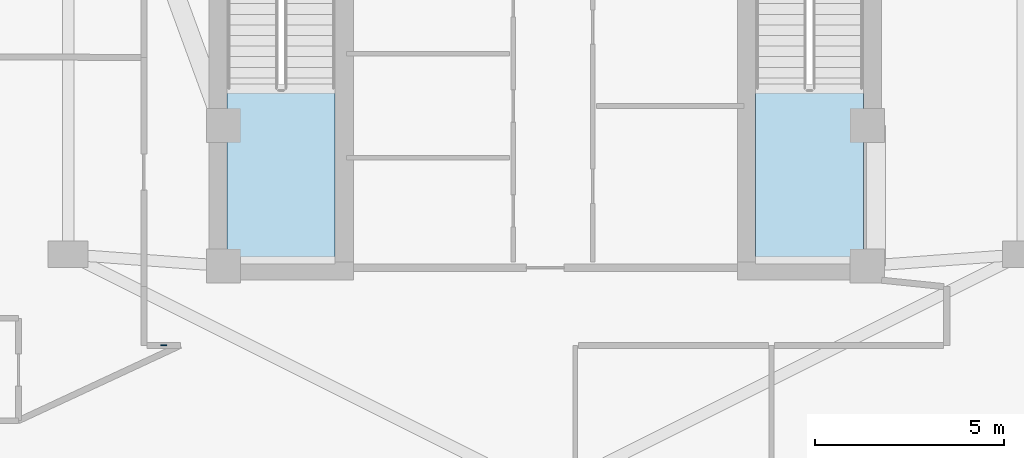
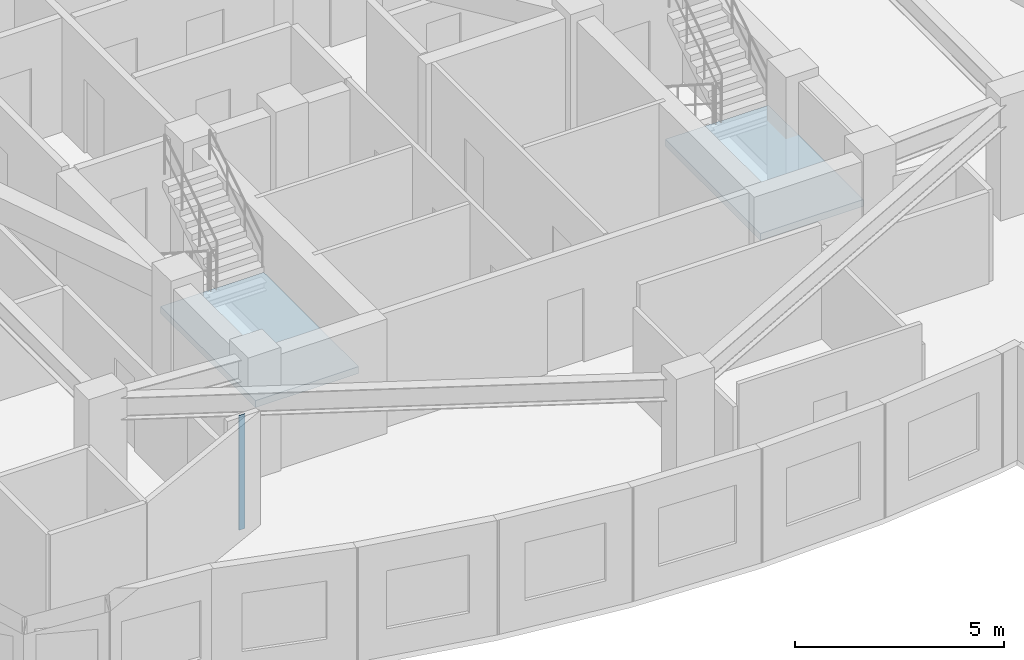
# One storey, part 2 of 9: 2 slabs, 1 plate, 2 elements without a shape of their own.
"""IFC4 building model written with IfcOpenShell, lengths in metres."""

import ifcopenshell
import ifcopenshell.guid

model = None  # the IFC model being written
_history = None  # IfcOwnerHistory: only IFC2X3 demands one
_inside = {}  # id of a spatial element -> (the spatial element, [elements in it])
_under = {}  # id of a project, library or spatial element -> (it, [spatial elements below it])
_declared = {}  # id of a project -> (the project, [libraries it declares])
_typed = {}  # id of a type object -> (the type object, [elements of that type])
_made_of = {}  # id of a material, layer set ... -> (it, [elements and type objects made of it])


def new_model(schema):
    """Start an empty IFC model of exactly this schema.

    Asked for "IFC4X3", IfcOpenShell would pick the latest addendum, in which some entities
    have other attributes; the version numbers below select the first issue.
    IFC2X3 requires an IfcOwnerHistory on every rooted entity: one is made here for all.
    """
    global model, _history
    if schema == "IFC4X3":
        model = ifcopenshell.file(schema_version=(4, 3, 0, 0))
    else:
        model = ifcopenshell.file(schema=schema)
    _inside.clear()
    _under.clear()
    _declared.clear()
    _typed.clear()
    _made_of.clear()
    _history = None
    if model.schema == "IFC2X3":
        org = make("IfcOrganization", Name="unknown")
        user = make(
            "IfcPersonAndOrganization",
            ThePerson=make("IfcPerson", FamilyName="unknown"),
            TheOrganization=org,
        )
        app = make(
            "IfcApplication",
            ApplicationDeveloper=org,
            Version="unknown",
            ApplicationFullName="unknown",
            ApplicationIdentifier="unknown",
        )
        _history = make(
            "IfcOwnerHistory",
            OwningUser=user,
            OwningApplication=app,
            ChangeAction="ADDED",
            CreationDate=0,
        )
    return model


def make(cls, **values):
    """One entity of the class cls with the attributes given. An attribute that is None is left unset."""
    return model.create_entity(
        cls, **{name: value for name, value in values.items() if value is not None}
    )


def rooted(cls, **values):
    """An entity with a GlobalId (a new one), such as an element, a storey or a relation."""
    return make(cls, GlobalId=ifcopenshell.guid.new(), OwnerHistory=_history, **values)


def si_unit(unit_type, name, prefix=None):
    """IfcSIUnit, for example si_unit("LENGTHUNIT", "METRE", prefix="MILLI")."""
    return make("IfcSIUnit", UnitType=unit_type, Prefix=prefix, Name=name)


def assignment(units):
    """IfcUnitAssignment: the units of a project."""
    return None if units is None else make("IfcUnitAssignment", Units=units)


def point(xyz):
    """IfcCartesianPoint."""
    return None if xyz is None else make("IfcCartesianPoint", Coordinates=xyz)


def direction(xyz):
    """IfcDirection."""
    return None if xyz is None else make("IfcDirection", DirectionRatios=xyz)


def frame(location, z_axis=None, x_axis=None):
    """IfcAxis2Placement3D, a coordinate frame: its origin and axes. An axis left out is left unset."""
    return make(
        "IfcAxis2Placement3D",
        Location=point(location),
        Axis=direction(z_axis),
        RefDirection=direction(x_axis),
    )


def frame_2d(location, x_axis=None):
    """IfcAxis2Placement2D, a coordinate frame in the plane: its origin and x axis."""
    return make(
        "IfcAxis2Placement2D", Location=point(location), RefDirection=direction(x_axis)
    )


def origin():
    """The frame at (0, 0, 0) with its axes left unset."""
    return frame((0.0, 0.0, 0.0))


def origin_2d():
    """The frame at (0, 0) in the plane with its x axis left unset."""
    return frame_2d((0.0, 0.0))


def place(relative_to, where):
    """IfcLocalPlacement: puts the frame where relative to a parent placement (None: the world)."""
    return make(
        "IfcLocalPlacement", PlacementRelTo=relative_to, RelativePlacement=where
    )


def context(
    kind, dimensions, precision=None, world=None, true_north=None, identifier=None
):
    """IfcGeometricRepresentationContext, for example the 3D "Model" context."""
    return make(
        "IfcGeometricRepresentationContext",
        ContextIdentifier=identifier,
        ContextType=kind,
        CoordinateSpaceDimension=dimensions,
        Precision=precision,
        WorldCoordinateSystem=world,
        TrueNorth=true_north,
    )


def subcontext(parent, identifier, kind, view, scale=None):
    """IfcGeometricRepresentationSubContext, for example "Body" below "Model"."""
    return make(
        "IfcGeometricRepresentationSubContext",
        ContextIdentifier=identifier,
        ContextType=kind,
        ParentContext=parent,
        TargetScale=scale,
        TargetView=view,
    )


def project(units=None, contexts=None):
    """IfcProject with its units and contexts."""
    return rooted(
        "IfcProject",
        Name="project",
        RepresentationContexts=contexts,
        UnitsInContext=assignment(units),
    )


def spatial(cls, under=None, at=None, **own):
    """A site, building, storey or space (cls), placed at a placement, below another one or the project."""
    s = rooted(cls, ObjectPlacement=at, **own)
    if under is not None:
        _under.setdefault(under.id(), (under, []))[1].append(s)
    return s


def polyline(points):
    """IfcPolyline through the points."""
    return make("IfcPolyline", Points=[point(p) for p in points])


def profile(cls, at=None, kind="AREA", **sizes):
    """A parametric profile (cls). Its sizes go by their IFC names, for example OverallWidth=200.0."""
    return make(cls, ProfileType=kind, Position=at, **sizes)


def rectangle(**sizes):
    """IfcRectangleProfileDef."""
    return profile("IfcRectangleProfileDef", **sizes)


def outline(outer, holes=None, kind="AREA"):
    """IfcArbitraryClosedProfileDef: a profile drawn as a closed curve; with holes, ...WithVoids."""
    if holes is None:
        return make("IfcArbitraryClosedProfileDef", ProfileType=kind, OuterCurve=outer)
    return make(
        "IfcArbitraryProfileDefWithVoids",
        ProfileType=kind,
        OuterCurve=outer,
        InnerCurves=holes,
    )


def extrude(swept, where, along, depth):
    """IfcExtrudedAreaSolid: the profile swept, set in the frame where, extruded along a direction by depth."""
    return make(
        "IfcExtrudedAreaSolid",
        SweptArea=swept,
        Position=where,
        ExtrudedDirection=direction(along),
        Depth=depth,
    )


def shape(context_of_items, identifier, shape_type, items):
    """IfcShapeRepresentation: the items that make up one representation, for example the "Body"."""
    return make(
        "IfcShapeRepresentation",
        ContextOfItems=context_of_items,
        RepresentationIdentifier=identifier,
        RepresentationType=shape_type,
        Items=items,
    )


def material(Name=None, Category=None):
    """IfcMaterial."""
    return make("IfcMaterial", Name=Name, Category=Category)


def layer(
    of_material, thickness, ventilated=None, Name=None, Category=None, Priority=None
):
    """IfcMaterialLayer: one layer of a wall or slab, of a material (None: an air gap)."""
    return make(
        "IfcMaterialLayer",
        Material=of_material,
        LayerThickness=thickness,
        IsVentilated=ventilated,
        Name=Name,
        Category=Category,
        Priority=Priority,
    )


def layer_set(layers, Name=None):
    """IfcMaterialLayerSet."""
    return make("IfcMaterialLayerSet", MaterialLayers=layers, LayerSetName=Name)


def made_of(thing, what):
    """Note that an element or type object is made of a material, layer set ...; save() writes the relation."""
    if what is not None:
        _made_of.setdefault(what.id(), (what, []))[1].append(thing)
    return thing


def type_object(cls, material=None, **own):
    """A type object (cls), such as IfcWallType, which elements share."""
    return made_of(rooted(cls, **own), material)


def element(
    cls,
    number,
    at=None,
    inside=None,
    cuts=None,
    type_object=None,
    material=None,
    context=None,
    identifier="Body",
    shape_type=None,
    held_by="IfcProductDefinitionShape",
    body=None,
    shapes=None,
    **own,
):
    """One element of the class cls, such as IfcWall. Its Tag is "e" and its number.

    at: its placement. inside: the storey or other place that contains it. cuts: it is an
    opening in that element (IfcRelVoidsElement). A single representation is given by context,
    identifier, shape_type and body (its items); several are given by shapes. held_by: the class
    of the entity that holds the representations. save() writes the other relations.
    """
    e = rooted(cls, Tag="e%d" % number, ObjectPlacement=at, **own)
    if body is not None:
        shapes = [shape(context, identifier, shape_type, body)]
    if shapes is not None:
        e.Representation = make(held_by, Representations=shapes)
    if inside is not None:
        _inside.setdefault(inside.id(), (inside, []))[1].append(e)
    if cuts is not None:
        rooted(
            "IfcRelVoidsElement", RelatingBuildingElement=cuts, RelatedOpeningElement=e
        )
    if type_object is not None:
        _typed.setdefault(type_object.id(), (type_object, []))[1].append(e)
    return made_of(e, material)


def aggregate(whole, parts):
    """IfcRelAggregates: a whole, such as a stair, and the parts it consists of."""
    return rooted("IfcRelAggregates", RelatingObject=whole, RelatedObjects=parts)


def save(model, path):
    """Write the relations noted so far, then the file.

    IfcRelAggregates (storeys below a building ...), IfcRelContainedInSpatialStructure (elements
    in a storey), IfcRelDefinesByType, IfcRelAssociatesMaterial and IfcRelDeclares: one each for
    every whole, place, type object, material and project.
    """
    for whole, parts in _under.values():
        aggregate(whole, parts)
    for where, things in _inside.values():
        rooted(
            "IfcRelContainedInSpatialStructure",
            RelatedElements=things,
            RelatingStructure=where,
        )
    for kind, things in _typed.values():
        rooted("IfcRelDefinesByType", RelatedObjects=things, RelatingType=kind)
    for what, things in _made_of.values():
        rooted("IfcRelAssociatesMaterial", RelatedObjects=things, RelatingMaterial=what)
    for by, libraries in _declared.values():
        rooted("IfcRelDeclares", RelatingContext=by, RelatedDefinitions=libraries)
    model.write(path)


model = new_model("IFC4")

# Units and contexts
model_context = context("Model", 3, precision=1e-05, world=origin(), true_north=direction((0.0, 1.0)))
body_context = subcontext(model_context, "Body", "Model", "MODEL_VIEW")
ifc_project = project(units=[si_unit("LENGTHUNIT", "METRE"), si_unit("AREAUNIT", "SQUARE_METRE"), si_unit("VOLUMEUNIT", "CUBIC_METRE"), si_unit("PLANEANGLEUNIT", "RADIAN"), si_unit("MASSUNIT", "GRAM", prefix="KILO")], contexts=[model_context])

# Site, building, storey
site_placement = place(None, origin())
site = spatial("IfcSite", under=ifc_project, at=site_placement, CompositionType="ELEMENT")
building_placement = place(site_placement, origin())
building = spatial("IfcBuilding", under=site, at=building_placement, Name="Miruveldt Soraemaru", CompositionType="ELEMENT")
storey_placement = place(building_placement, frame((0.0, 0.0, 223.199951171875)))
storey = spatial("IfcBuildingStorey", under=building, at=storey_placement, Name="L61", CompositionType="ELEMENT", Elevation=223.199951171875)

# Plate
ifc_material_1 = material(Name="Anodised aluminium EN AW-6063 T6", Category="aluminium")
ifc_layer_1 = layer(ifc_material_1, 0.02001953125, Name="Anodised aluminium EN AW-6063 T6", Category="aluminium")
ifc_layer_set_1 = layer_set([ifc_layer_1], Name="Anodised aluminium EN AW-6063 T6")
plate_type = type_object("IfcPlateType", Name="PLT-PART-TRIM", PredefinedType="SHEET", material=ifc_layer_set_1)
plate_placement = place(storey_placement, frame((33.92138671875, 33.39990234375, 0.0), z_axis=(0.0, 0.0, 1.0), x_axis=(1.0, 0.0, 0.0)))
element("IfcPlate", 1, at=plate_placement, inside=storey, type_object=plate_type, Name="L61 Partition Step Corner Trim Plate 006", PredefinedType="SHEET", context=body_context, shape_type="SweptSolid", body=[
    extrude(rectangle(XDim=0.159912109375, YDim=0.02001953125, at=origin_2d()), origin(), (0.0, 0.0, 1.0), 3.344970703125),
])

# Stair, slab
ifc_material_2 = material(Name="Concrete C40/50 (40 MPa)", Category="concrete")
stair_type = type_object("IfcStairType", Name="STAIR-DL-360", PredefinedType="HALF_TURN_STAIR", material=ifc_material_2)
stair_1_placement = place(storey_placement, origin())
stair_1 = element("IfcStair", 2, at=stair_1_placement, inside=storey, type_object=stair_type, Name="L61 Protected Exit Stair ST-1", PredefinedType="HALF_TURN_STAIR")
ifc_layer_2 = layer(ifc_material_2, 0.199951171875, Name="Concrete C40/50 (40 MPa)", Category="concrete")
ifc_layer_set_2 = layer_set([ifc_layer_2], Name="Concrete C40/50 (40 MPa)")
slab_type = type_object("IfcSlabType", Name="SLAB-LAND-200", PredefinedType="LANDING", material=ifc_layer_set_2)
slab_1_placement = place(storey_placement, frame((0.0, 0.0, 1.60009765625)))
slab_1 = element("IfcSlab", 3, at=slab_1_placement, type_object=slab_type, Name="ST-1 landing 1", PredefinedType="LANDING", context=body_context, shape_type="SweptSolid", body=[
    extrude(outline(polyline([(35.60009765625, 40.197998046875), (35.60009765625, 35.64990234375), (38.449951171875, 35.64990234375), (38.449951171875, 40.197998046875), (35.60009765625, 40.197998046875)])), origin(), (0.0, 0.0, 1.0), 0.199951171875),
])
aggregate(stair_1, [slab_1])

stair_2_placement = place(storey_placement, origin())
stair_2 = element("IfcStair", 4, at=stair_2_placement, inside=storey, type_object=stair_type, Name="L61 Protected Exit Stair ST-2", PredefinedType="HALF_TURN_STAIR")
slab_2_placement = place(storey_placement, frame((0.0, 0.0, 1.60009765625)))
slab_2 = element("IfcSlab", 5, at=slab_2_placement, type_object=slab_type, Name="ST-2 landing 1", PredefinedType="LANDING", context=body_context, shape_type="SweptSolid", body=[
    extrude(outline(polyline([(49.550048828125, 40.197998046875), (49.550048828125, 35.64990234375), (52.39990234375, 35.64990234375), (52.39990234375, 40.197998046875), (49.550048828125, 40.197998046875)])), origin(), (0.0, 0.0, 1.0), 0.199951171875),
])
aggregate(stair_2, [slab_2])

save(model, "model.ifc")
